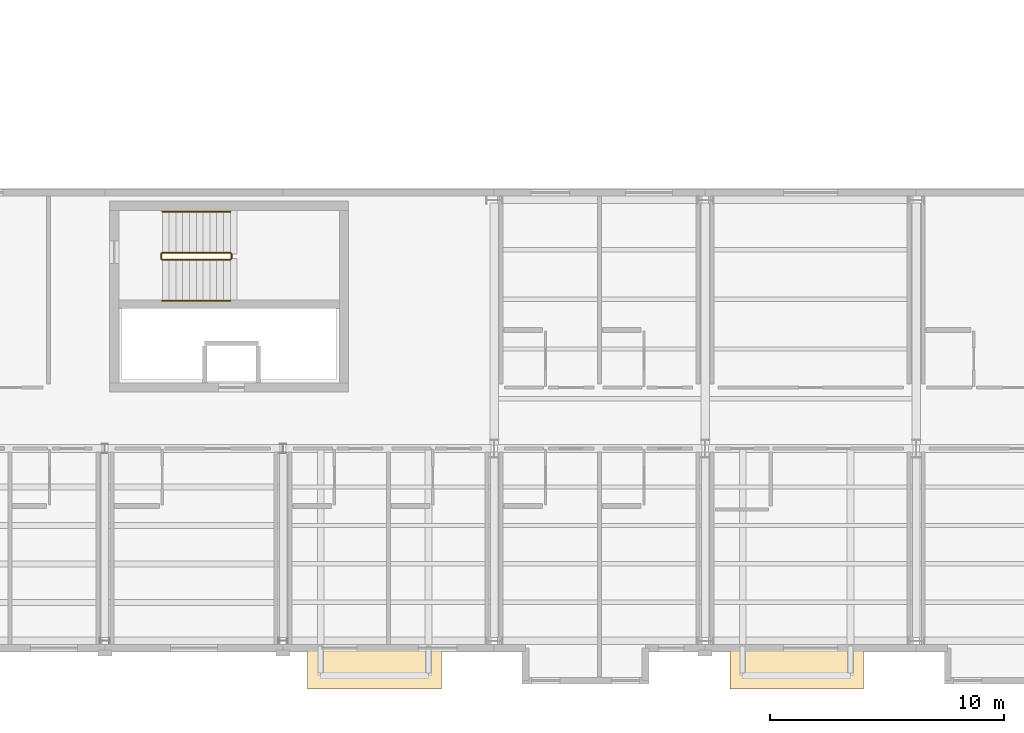
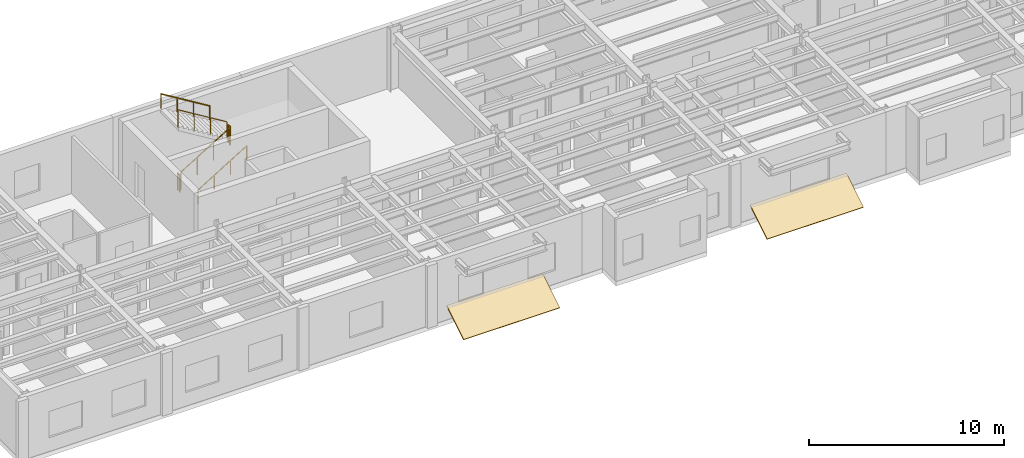
# One storey, part 42 of 46: 6 railings, 2 coverings.
"""IFC4 building model written with IfcOpenShell, lengths in metres."""

from ifc_helpers import new_model, si_unit, direction, frame, origin, origin_2d, place, context, subcontext, project, spatial, polyline, circle, outline, extrude, material, layer, layer_set, type_object, element, save


model = new_model("IFC4")

# Units and contexts
model_context = context("Model", 3, precision=1e-05, world=origin(), true_north=direction((0.0, 1.0)))
body_context = subcontext(model_context, "Body", "Model", "MODEL_VIEW")
ifc_project = project(units=[si_unit("LENGTHUNIT", "METRE"), si_unit("AREAUNIT", "SQUARE_METRE"), si_unit("VOLUMEUNIT", "CUBIC_METRE"), si_unit("PLANEANGLEUNIT", "RADIAN"), si_unit("MASSUNIT", "GRAM", prefix="KILO")], contexts=[model_context])

# Site, building, storey
site_placement = place(None, origin())
site = spatial("IfcSite", under=ifc_project, at=site_placement, CompositionType="ELEMENT")
building_placement = place(site_placement, origin())
building = spatial("IfcBuilding", under=site, at=building_placement, Name="Sollismere Congress Hotel", CompositionType="ELEMENT")
storey_placement = place(building_placement, frame((0.0, 0.0, 19.5)))
storey = spatial("IfcBuildingStorey", under=building, at=storey_placement, Name="L04", CompositionType="ELEMENT", Elevation=19.5)

# Coverings
ifc_material_1 = material(Name="Standing-Seam Titanium-Zinc Roof Assembly")
ifc_layer = layer(ifc_material_1, 0.054931640625, Name="Standing-Seam Titanium-Zinc Roof Assembly")
ifc_layer_set = layer_set([ifc_layer], Name="Standing-Seam Titanium-Zinc Roof Assembly")
covering_type = type_object("IfcCoveringType", Name="CV-RFZNC", PredefinedType="ROOFING", material=ifc_layer_set)
for number, where, z_axis, x_axis, name in (
    (1, (59.050048828125, -2.008056640625, -0.363037109375), (0.0, -0.525123792841, 0.851025852834), (1.0, 0.0, 0.0), "Cikma bay sacak hood SL-CKH-01"),
    (2, (77.050048828125, -2.008056640625, -0.363037109375), (0.0, -0.525123792841, 0.851025852834), (1.0, 0.0, 0.0), "Cikma bay sacak hood SL-CKH-02"),
):
    element("IfcCovering", number, at=place(storey_placement, frame(where, z_axis=z_axis, x_axis=x_axis)), inside=storey, type_object=covering_type, Name=name, PredefinedType="ROOFING", context=body_context, shape_type="SweptSolid", body=[
        extrude(outline(polyline([(0.0, 0.0), (5.699951171875, 0.0), (5.699951171875, 2.056396484375), (0.0, 2.056396484375), (0.0, 0.0)])), origin(), (0.0, 0.0, 1.0), 0.080078125),
    ])

# Railings
ifc_material_2 = material(Name="Steel ASTM A500 Grade C", Category="steel")
railing_type_1 = type_object("IfcRailingType", Name="RL-GRD112", PredefinedType="GUARDRAIL", material=ifc_material_2)
railing_1_placement = place(storey_placement, frame((52.85009765625, 16.25, 0.17724609375)))
element("IfcRailing", 3, at=railing_1_placement, inside=storey, type_object=railing_type_1, Name="RLG-RG-ST-06-L04-1", PredefinedType="GUARDRAIL", context=body_context, shape_type="SweptSolid", body=[
    extrude(circle(Radius=0.02392578125, at=origin_2d()), frame((0.0, 0.0, 1.09619140625), z_axis=(0.853210801645, 0.0, 0.521566225858), x_axis=(0.0, 1.0, 0.0)), (0.0, 0.0, 1.0), 3.39892578125),
    extrude(circle(Radius=0.02099609375, at=origin_2d()), origin(), (0.0, 0.0, 1.0), 1.072021484375),
    extrude(circle(Radius=0.02099609375, at=origin_2d()), frame((0.966552734375, 0.0, 0.5908203125)), (0.0, 0.0, 1.0), 1.072021484375),
    extrude(circle(Radius=0.02099609375, at=origin_2d()), frame((1.933349609375, 0.0, 1.181884765625)), (0.0, 0.0, 1.0), 1.072021484375),
    extrude(circle(Radius=0.02099609375, at=origin_2d()), frame((2.89990234375, 0.0, 1.772705078125)), (0.0, 0.0, 1.0), 1.072021484375),
])
railing_2_placement = place(storey_placement, frame((55.800048828125, 16.300048828125, 1.949951171875)))
element("IfcRailing", 4, at=railing_2_placement, inside=storey, type_object=railing_type_1, Name="RLG-RG-ST-06-L04-2", PredefinedType="GUARDRAIL", context=body_context, shape_type="SweptSolid", body=[
    extrude(circle(Radius=0.02392578125, at=origin_2d()), frame((0.0, 0.0, 1.09619140625), z_axis=(0.0, 1.0, 0.0), x_axis=(-1.0, 0.0, 0.0)), (0.0, 0.0, 1.0), 0.199951171875),
    extrude(circle(Radius=0.02099609375, at=origin_2d()), origin(), (0.0, 0.0, 1.0), 1.072021484375),
    extrude(circle(Radius=0.02099609375, at=origin_2d()), frame((0.0, 0.199951171875, 0.0)), (0.0, 0.0, 1.0), 1.072021484375),
])
railing_3_placement = place(storey_placement, frame((55.75, 16.550048828125, 2.127197265625)))
element("IfcRailing", 5, at=railing_3_placement, inside=storey, type_object=railing_type_1, Name="RLG-RG-ST-06-L04-3", PredefinedType="GUARDRAIL", context=body_context, shape_type="SweptSolid", body=[
    extrude(circle(Radius=0.02392578125, at=origin_2d()), frame((0.0, 0.0, 1.09619140625), z_axis=(-0.853210801645, 0.0, 0.521566225858), x_axis=(0.0, -1.0, 0.0)), (0.0, 0.0, 1.0), 3.39892578125),
    extrude(circle(Radius=0.02099609375, at=origin_2d()), origin(), (0.0, 0.0, 1.0), 1.072021484375),
    extrude(circle(Radius=0.02099609375, at=origin_2d()), frame((-0.966552734375, 0.0, 0.5908203125)), (0.0, 0.0, 1.0), 1.072021484375),
    extrude(circle(Radius=0.02099609375, at=origin_2d()), frame((-1.933349609375, 0.0, 1.181884765625)), (0.0, 0.0, 1.0), 1.072021484375),
    extrude(circle(Radius=0.02099609375, at=origin_2d()), frame((-2.89990234375, 0.0, 1.772705078125)), (0.0, 0.0, 1.0), 1.072021484375),
])
railing_4_placement = place(storey_placement, frame((52.800048828125, 16.300048828125, 0.0)))
element("IfcRailing", 6, at=railing_4_placement, inside=storey, type_object=railing_type_1, Name="RLG-RG-ST-06-L04-4", PredefinedType="GUARDRAIL", context=body_context, shape_type="SweptSolid", body=[
    extrude(circle(Radius=0.02392578125, at=origin_2d()), frame((0.0, 0.0, 1.09619140625), z_axis=(0.0, 1.0, 0.0), x_axis=(-1.0, 0.0, 0.0)), (0.0, 0.0, 1.0), 0.199951171875),
    extrude(circle(Radius=0.02099609375, at=origin_2d()), origin(), (0.0, 0.0, 1.0), 1.072021484375),
    extrude(circle(Radius=0.02099609375, at=origin_2d()), frame((0.0, 0.199951171875, 0.0)), (0.0, 0.0, 1.0), 1.072021484375),
])
ifc_material_3 = material(Name="Brushed Architectural Bronze")
railing_type_2 = type_object("IfcRailingType", Name="RL-HND90", PredefinedType="HANDRAIL", material=ifc_material_3)
railing_5_placement = place(storey_placement, frame((52.85009765625, 14.5, 0.33056640625)))
element("IfcRailing", 7, at=railing_5_placement, inside=storey, type_object=railing_type_2, Name="RLG-RH-ST-06-L04-1", PredefinedType="HANDRAIL", context=body_context, shape_type="SweptSolid", body=[
    extrude(circle(Radius=0.02392578125, at=origin_2d()), frame((0.0, 0.0, 0.8759765625), z_axis=(0.853210801645, 0.0, 0.521566225858), x_axis=(0.0, 1.0, 0.0)), (0.0, 0.0, 1.0), 3.39892578125),
    extrude(circle(Radius=0.02099609375, at=origin_2d()), origin(), (0.0, 0.0, 1.0), 0.851806640625),
    extrude(circle(Radius=0.02099609375, at=origin_2d()), frame((0.966552734375, 0.0, 0.5908203125)), (0.0, 0.0, 1.0), 0.851806640625),
    extrude(circle(Radius=0.02099609375, at=origin_2d()), frame((1.933349609375, 0.0, 1.181884765625)), (0.0, 0.0, 1.0), 0.851806640625),
    extrude(circle(Radius=0.02099609375, at=origin_2d()), frame((2.89990234375, 0.0, 1.772705078125)), (0.0, 0.0, 1.0), 0.851806640625),
])
railing_6_placement = place(storey_placement, frame((55.75, 18.300048828125, 2.280517578125)))
element("IfcRailing", 8, at=railing_6_placement, inside=storey, type_object=railing_type_2, Name="RLG-RH-ST-06-L04-2", PredefinedType="HANDRAIL", context=body_context, shape_type="SweptSolid", body=[
    extrude(circle(Radius=0.02392578125, at=origin_2d()), frame((0.0, 0.0, 0.8759765625), z_axis=(-0.853210801645, 0.0, 0.521566225858), x_axis=(0.0, -1.0, 0.0)), (0.0, 0.0, 1.0), 3.39892578125),
    extrude(circle(Radius=0.02099609375, at=origin_2d()), origin(), (0.0, 0.0, 1.0), 0.851806640625),
    extrude(circle(Radius=0.02099609375, at=origin_2d()), frame((-0.966552734375, 0.0, 0.5908203125)), (0.0, 0.0, 1.0), 0.851806640625),
    extrude(circle(Radius=0.02099609375, at=origin_2d()), frame((-1.933349609375, 0.0, 1.181884765625)), (0.0, 0.0, 1.0), 0.851806640625),
    extrude(circle(Radius=0.02099609375, at=origin_2d()), frame((-2.89990234375, 0.0, 1.772705078125)), (0.0, 0.0, 1.0), 0.851806640625),
])

save(model, "model.ifc")
